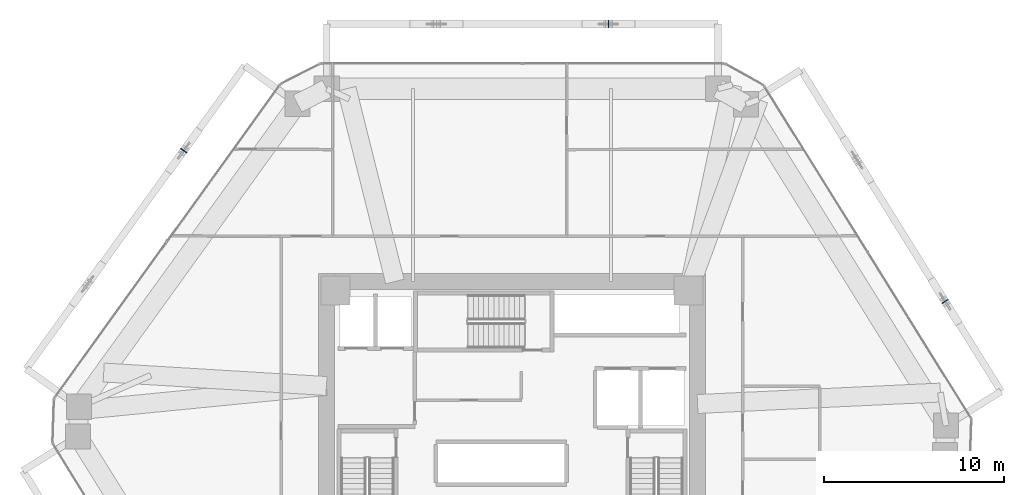
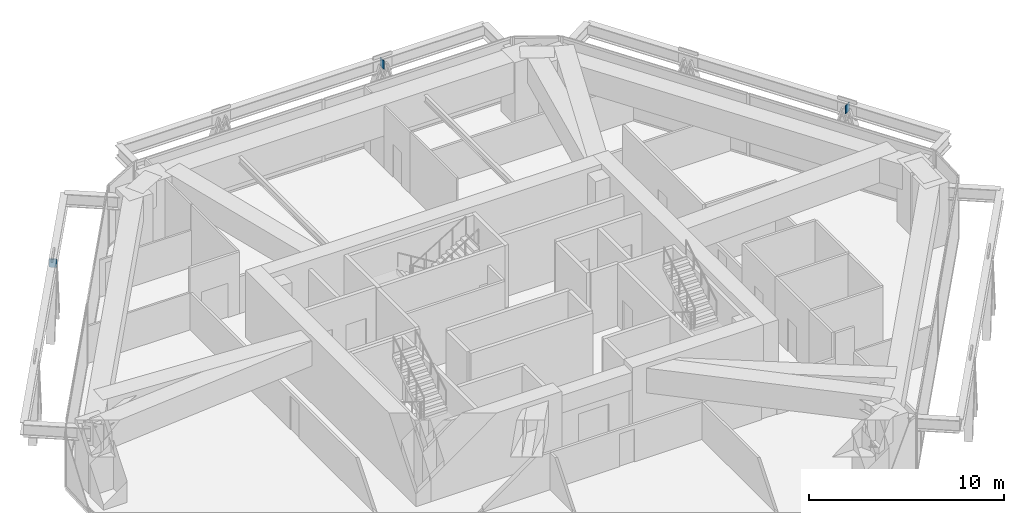
# One storey, part 12 of 16: 3 plates.
"""IFC4 building model written with IfcOpenShell, lengths in metres."""

import ifcopenshell
import ifcopenshell.guid

model = None  # the IFC model being written
_history = None  # IfcOwnerHistory: only IFC2X3 demands one
_inside = {}  # id of a spatial element -> (the spatial element, [elements in it])
_under = {}  # id of a project, library or spatial element -> (it, [spatial elements below it])
_declared = {}  # id of a project -> (the project, [libraries it declares])
_typed = {}  # id of a type object -> (the type object, [elements of that type])
_made_of = {}  # id of a material, layer set ... -> (it, [elements and type objects made of it])


def new_model(schema):
    """Start an empty IFC model of exactly this schema.

    Asked for "IFC4X3", IfcOpenShell would pick the latest addendum, in which some entities
    have other attributes; the version numbers below select the first issue.
    IFC2X3 requires an IfcOwnerHistory on every rooted entity: one is made here for all.
    """
    global model, _history
    if schema == "IFC4X3":
        model = ifcopenshell.file(schema_version=(4, 3, 0, 0))
    else:
        model = ifcopenshell.file(schema=schema)
    _inside.clear()
    _under.clear()
    _declared.clear()
    _typed.clear()
    _made_of.clear()
    _history = None
    if model.schema == "IFC2X3":
        org = make("IfcOrganization", Name="unknown")
        user = make(
            "IfcPersonAndOrganization",
            ThePerson=make("IfcPerson", FamilyName="unknown"),
            TheOrganization=org,
        )
        app = make(
            "IfcApplication",
            ApplicationDeveloper=org,
            Version="unknown",
            ApplicationFullName="unknown",
            ApplicationIdentifier="unknown",
        )
        _history = make(
            "IfcOwnerHistory",
            OwningUser=user,
            OwningApplication=app,
            ChangeAction="ADDED",
            CreationDate=0,
        )
    return model


def make(cls, **values):
    """One entity of the class cls with the attributes given. An attribute that is None is left unset."""
    return model.create_entity(
        cls, **{name: value for name, value in values.items() if value is not None}
    )


def rooted(cls, **values):
    """An entity with a GlobalId (a new one), such as an element, a storey or a relation."""
    return make(cls, GlobalId=ifcopenshell.guid.new(), OwnerHistory=_history, **values)


def si_unit(unit_type, name, prefix=None):
    """IfcSIUnit, for example si_unit("LENGTHUNIT", "METRE", prefix="MILLI")."""
    return make("IfcSIUnit", UnitType=unit_type, Prefix=prefix, Name=name)


def assignment(units):
    """IfcUnitAssignment: the units of a project."""
    return None if units is None else make("IfcUnitAssignment", Units=units)


def point(xyz):
    """IfcCartesianPoint."""
    return None if xyz is None else make("IfcCartesianPoint", Coordinates=xyz)


def direction(xyz):
    """IfcDirection."""
    return None if xyz is None else make("IfcDirection", DirectionRatios=xyz)


def frame(location, z_axis=None, x_axis=None):
    """IfcAxis2Placement3D, a coordinate frame: its origin and axes. An axis left out is left unset."""
    return make(
        "IfcAxis2Placement3D",
        Location=point(location),
        Axis=direction(z_axis),
        RefDirection=direction(x_axis),
    )


def frame_2d(location, x_axis=None):
    """IfcAxis2Placement2D, a coordinate frame in the plane: its origin and x axis."""
    return make(
        "IfcAxis2Placement2D", Location=point(location), RefDirection=direction(x_axis)
    )


def origin():
    """The frame at (0, 0, 0) with its axes left unset."""
    return frame((0.0, 0.0, 0.0))


def origin_2d():
    """The frame at (0, 0) in the plane with its x axis left unset."""
    return frame_2d((0.0, 0.0))


def place(relative_to, where):
    """IfcLocalPlacement: puts the frame where relative to a parent placement (None: the world)."""
    return make(
        "IfcLocalPlacement", PlacementRelTo=relative_to, RelativePlacement=where
    )


def context(
    kind, dimensions, precision=None, world=None, true_north=None, identifier=None
):
    """IfcGeometricRepresentationContext, for example the 3D "Model" context."""
    return make(
        "IfcGeometricRepresentationContext",
        ContextIdentifier=identifier,
        ContextType=kind,
        CoordinateSpaceDimension=dimensions,
        Precision=precision,
        WorldCoordinateSystem=world,
        TrueNorth=true_north,
    )


def subcontext(parent, identifier, kind, view, scale=None):
    """IfcGeometricRepresentationSubContext, for example "Body" below "Model"."""
    return make(
        "IfcGeometricRepresentationSubContext",
        ContextIdentifier=identifier,
        ContextType=kind,
        ParentContext=parent,
        TargetScale=scale,
        TargetView=view,
    )


def project(units=None, contexts=None):
    """IfcProject with its units and contexts."""
    return rooted(
        "IfcProject",
        Name="project",
        RepresentationContexts=contexts,
        UnitsInContext=assignment(units),
    )


def spatial(cls, under=None, at=None, **own):
    """A site, building, storey or space (cls), placed at a placement, below another one or the project."""
    s = rooted(cls, ObjectPlacement=at, **own)
    if under is not None:
        _under.setdefault(under.id(), (under, []))[1].append(s)
    return s


def profile(cls, at=None, kind="AREA", **sizes):
    """A parametric profile (cls). Its sizes go by their IFC names, for example OverallWidth=200.0."""
    return make(cls, ProfileType=kind, Position=at, **sizes)


def rectangle(**sizes):
    """IfcRectangleProfileDef."""
    return profile("IfcRectangleProfileDef", **sizes)


def extrude(swept, where, along, depth):
    """IfcExtrudedAreaSolid: the profile swept, set in the frame where, extruded along a direction by depth."""
    return make(
        "IfcExtrudedAreaSolid",
        SweptArea=swept,
        Position=where,
        ExtrudedDirection=direction(along),
        Depth=depth,
    )


def shape(context_of_items, identifier, shape_type, items):
    """IfcShapeRepresentation: the items that make up one representation, for example the "Body"."""
    return make(
        "IfcShapeRepresentation",
        ContextOfItems=context_of_items,
        RepresentationIdentifier=identifier,
        RepresentationType=shape_type,
        Items=items,
    )


def source(mapping_origin, context_of_items, identifier, shape_type, items):
    """IfcRepresentationMap: a shape defined once, which mapped items show again and again."""
    return make(
        "IfcRepresentationMap",
        MappingOrigin=mapping_origin,
        MappedRepresentation=shape(context_of_items, identifier, shape_type, items),
    )


def transform(
    local_origin,
    x_axis=None,
    y_axis=None,
    z_axis=None,
    scale=None,
    scale2=None,
    scale3=None,
    uniform=True,
):
    """IfcCartesianTransformationOperator3D, or its non-uniform kind. x_axis, y_axis, z_axis: its Axis1, 2, 3."""
    if uniform:
        return make(
            "IfcCartesianTransformationOperator3D",
            Axis1=direction(x_axis),
            Axis2=direction(y_axis),
            LocalOrigin=point(local_origin),
            Scale=scale,
            Axis3=direction(z_axis),
        )
    return make(
        "IfcCartesianTransformationOperator3DnonUniform",
        Axis1=direction(x_axis),
        Axis2=direction(y_axis),
        LocalOrigin=point(local_origin),
        Scale=scale,
        Axis3=direction(z_axis),
        Scale2=scale2,
        Scale3=scale3,
    )


def mapped(mapping_source, mapping_target):
    """IfcMappedItem: shows the shape of a source again, moved by a transform."""
    return make(
        "IfcMappedItem", MappingSource=mapping_source, MappingTarget=mapping_target
    )


def material(Name=None, Category=None):
    """IfcMaterial."""
    return make("IfcMaterial", Name=Name, Category=Category)


def layer(
    of_material, thickness, ventilated=None, Name=None, Category=None, Priority=None
):
    """IfcMaterialLayer: one layer of a wall or slab, of a material (None: an air gap)."""
    return make(
        "IfcMaterialLayer",
        Material=of_material,
        LayerThickness=thickness,
        IsVentilated=ventilated,
        Name=Name,
        Category=Category,
        Priority=Priority,
    )


def layer_set(layers, Name=None):
    """IfcMaterialLayerSet."""
    return make("IfcMaterialLayerSet", MaterialLayers=layers, LayerSetName=Name)


def made_of(thing, what):
    """Note that an element or type object is made of a material, layer set ...; save() writes the relation."""
    if what is not None:
        _made_of.setdefault(what.id(), (what, []))[1].append(thing)
    return thing


def type_object(cls, material=None, **own):
    """A type object (cls), such as IfcWallType, which elements share."""
    return made_of(rooted(cls, **own), material)


def type_shapes(of_type, sources):
    """Give a type object the sources (RepresentationMaps) that its elements show as mapped items."""
    of_type.RepresentationMaps = sources


def element(
    cls,
    number,
    at=None,
    inside=None,
    cuts=None,
    type_object=None,
    material=None,
    context=None,
    identifier="Body",
    shape_type=None,
    held_by="IfcProductDefinitionShape",
    body=None,
    shapes=None,
    **own,
):
    """One element of the class cls, such as IfcWall. Its Tag is "e" and its number.

    at: its placement. inside: the storey or other place that contains it. cuts: it is an
    opening in that element (IfcRelVoidsElement). A single representation is given by context,
    identifier, shape_type and body (its items); several are given by shapes. held_by: the class
    of the entity that holds the representations. save() writes the other relations.
    """
    e = rooted(cls, Tag="e%d" % number, ObjectPlacement=at, **own)
    if body is not None:
        shapes = [shape(context, identifier, shape_type, body)]
    if shapes is not None:
        e.Representation = make(held_by, Representations=shapes)
    if inside is not None:
        _inside.setdefault(inside.id(), (inside, []))[1].append(e)
    if cuts is not None:
        rooted(
            "IfcRelVoidsElement", RelatingBuildingElement=cuts, RelatedOpeningElement=e
        )
    if type_object is not None:
        _typed.setdefault(type_object.id(), (type_object, []))[1].append(e)
    return made_of(e, material)


def aggregate(whole, parts):
    """IfcRelAggregates: a whole, such as a stair, and the parts it consists of."""
    return rooted("IfcRelAggregates", RelatingObject=whole, RelatedObjects=parts)


def save(model, path):
    """Write the relations noted so far, then the file.

    IfcRelAggregates (storeys below a building ...), IfcRelContainedInSpatialStructure (elements
    in a storey), IfcRelDefinesByType, IfcRelAssociatesMaterial and IfcRelDeclares: one each for
    every whole, place, type object, material and project.
    """
    for whole, parts in _under.values():
        aggregate(whole, parts)
    for where, things in _inside.values():
        rooted(
            "IfcRelContainedInSpatialStructure",
            RelatedElements=things,
            RelatingStructure=where,
        )
    for kind, things in _typed.values():
        rooted("IfcRelDefinesByType", RelatedObjects=things, RelatingType=kind)
    for what, things in _made_of.values():
        rooted("IfcRelAssociatesMaterial", RelatedObjects=things, RelatingMaterial=what)
    for by, libraries in _declared.values():
        rooted("IfcRelDeclares", RelatingContext=by, RelatedDefinitions=libraries)
    model.write(path)


model = new_model("IFC4")

# Units and contexts
model_context = context("Model", 3, precision=1e-05, world=origin(), true_north=direction((0.0, 1.0)))
body_context = subcontext(model_context, "Body", "Model", "MODEL_VIEW")
ifc_project = project(units=[si_unit("LENGTHUNIT", "METRE"), si_unit("AREAUNIT", "SQUARE_METRE"), si_unit("VOLUMEUNIT", "CUBIC_METRE"), si_unit("PLANEANGLEUNIT", "RADIAN"), si_unit("MASSUNIT", "GRAM", prefix="KILO")], contexts=[model_context])

# Site, building, storey
site_placement = place(None, origin())
site = spatial("IfcSite", under=ifc_project, at=site_placement, CompositionType="ELEMENT")
building_placement = place(site_placement, origin())
building = spatial("IfcBuilding", under=site, at=building_placement, Name="Durnholm Broadcast Tower", CompositionType="ELEMENT")
storey_placement = place(building_placement, frame((0.0, 0.0, 84.300048828125)))
storey = spatial("IfcBuildingStorey", under=building, at=storey_placement, Name="L22", CompositionType="ELEMENT", Elevation=84.300048828125)

# Plates
ifc_material = material(Name="Steel ASTM A572 Grade 50", Category="steel")
ifc_layer = layer(ifc_material, 0.044921875)
ifc_layer_set = layer_set([ifc_layer], Name="Steel ASTM A572 Grade 50")
plate_type = type_object("IfcPlateType", Name="PLT-KN-STIF", PredefinedType="SHEET", material=ifc_layer_set)
shared_shape = source(origin(), body_context, "Body", "SweptSolid", [
    extrude(rectangle(XDim=0.044921875, YDim=0.419921875, at=origin_2d()), origin(), (0.0, 0.0, 1.0), 0.52001953125),
])
type_shapes(plate_type, [shared_shape])
for number, where, z_axis, x_axis, name in (
    (1, (24.036376953125, 7.197509765625, 2.888427734375), (0.0, 0.0, 1.0), (-0.528586500185, 0.848879444811, 0.0), "L22 welded diagrid node stiffener plate F3"),
    (2, (5.351318359375, 22.60009765625, 2.888427734375), (0.0, 0.0, 1.0), (-1.0, 0.0, 0.0), "L22 welded diagrid node stiffener plate F4"),
    (3, (-18.223388671875, 15.56396484375, 2.888427734375), (0.0, 0.0, 1.0), (-0.584816108738, -0.81116590101, 0.0), "L22 welded diagrid node stiffener plate F5"),
):
    element("IfcPlate", number, at=place(storey_placement, frame(where, z_axis=z_axis, x_axis=x_axis)), inside=storey, type_object=plate_type, Name=name, PredefinedType="SHEET", context=body_context, shape_type="MappedRepresentation", body=[
        mapped(shared_shape, transform((0.0, 0.0, 0.0), x_axis=(1.0, 0.0, 0.0), y_axis=(0.0, 1.0, 0.0), z_axis=(0.0, 0.0, 1.0), scale=1.0)),
    ])

save(model, "model.ifc")
